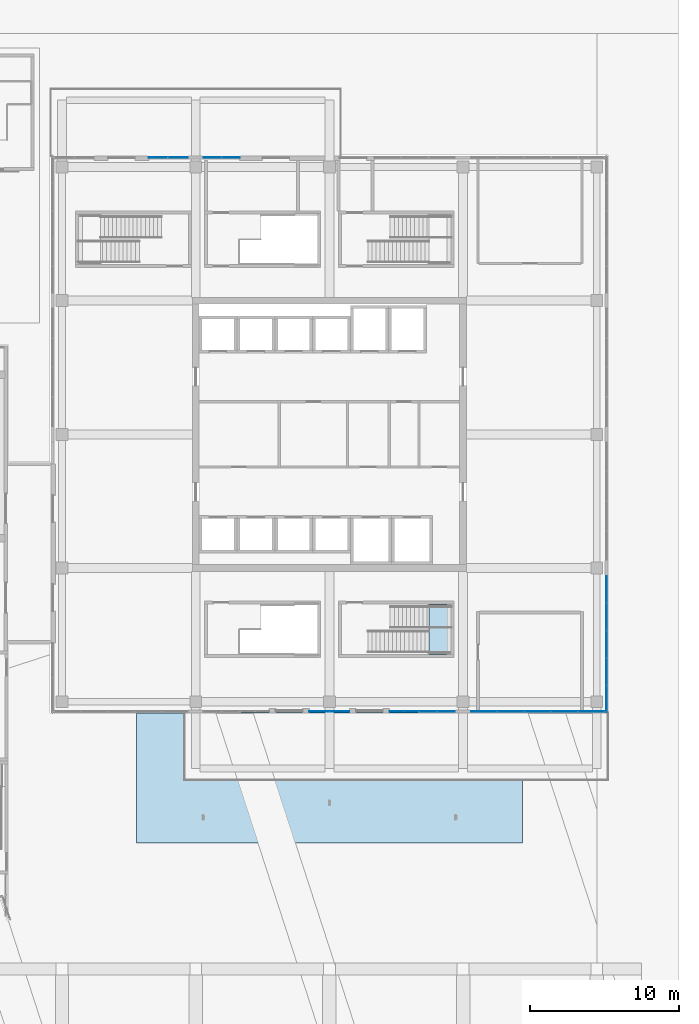
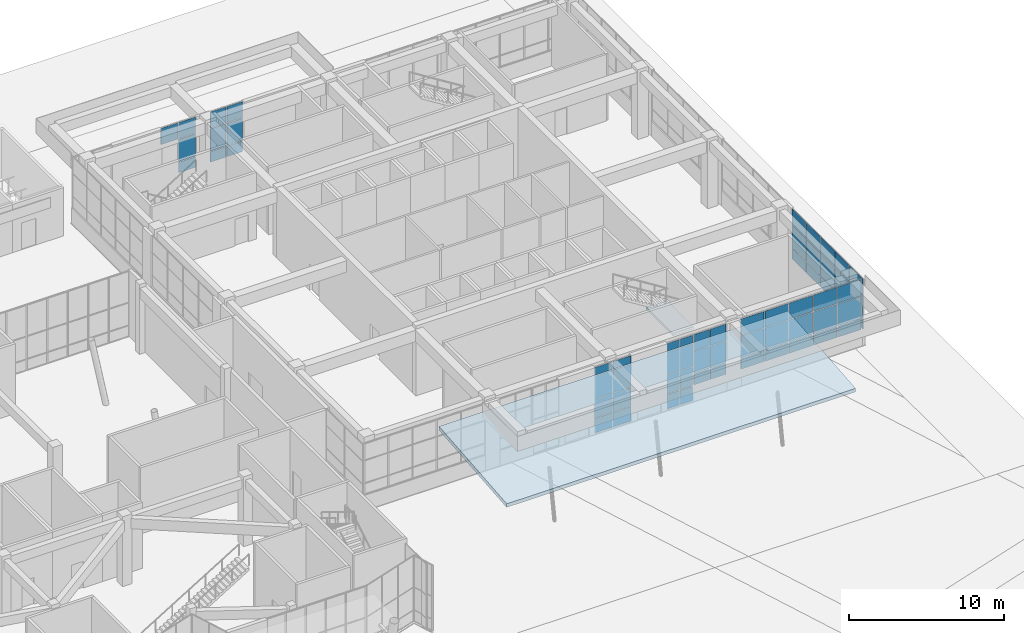
# One storey, part 49 of 72: 62 plates, 2 slabs, 8 elements without a shape of their own.
"""IFC4 building model written with IfcOpenShell, lengths in metres."""

import ifcopenshell
import ifcopenshell.guid

model = None  # the IFC model being written
_history = None  # IfcOwnerHistory: only IFC2X3 demands one
_inside = {}  # id of a spatial element -> (the spatial element, [elements in it])
_under = {}  # id of a project, library or spatial element -> (it, [spatial elements below it])
_declared = {}  # id of a project -> (the project, [libraries it declares])
_typed = {}  # id of a type object -> (the type object, [elements of that type])
_made_of = {}  # id of a material, layer set ... -> (it, [elements and type objects made of it])


def new_model(schema):
    """Start an empty IFC model of exactly this schema.

    Asked for "IFC4X3", IfcOpenShell would pick the latest addendum, in which some entities
    have other attributes; the version numbers below select the first issue.
    IFC2X3 requires an IfcOwnerHistory on every rooted entity: one is made here for all.
    """
    global model, _history
    if schema == "IFC4X3":
        model = ifcopenshell.file(schema_version=(4, 3, 0, 0))
    else:
        model = ifcopenshell.file(schema=schema)
    _inside.clear()
    _under.clear()
    _declared.clear()
    _typed.clear()
    _made_of.clear()
    _history = None
    if model.schema == "IFC2X3":
        org = make("IfcOrganization", Name="unknown")
        user = make(
            "IfcPersonAndOrganization",
            ThePerson=make("IfcPerson", FamilyName="unknown"),
            TheOrganization=org,
        )
        app = make(
            "IfcApplication",
            ApplicationDeveloper=org,
            Version="unknown",
            ApplicationFullName="unknown",
            ApplicationIdentifier="unknown",
        )
        _history = make(
            "IfcOwnerHistory",
            OwningUser=user,
            OwningApplication=app,
            ChangeAction="ADDED",
            CreationDate=0,
        )
    return model


def make(cls, **values):
    """One entity of the class cls with the attributes given. An attribute that is None is left unset."""
    return model.create_entity(
        cls, **{name: value for name, value in values.items() if value is not None}
    )


def rooted(cls, **values):
    """An entity with a GlobalId (a new one), such as an element, a storey or a relation."""
    return make(cls, GlobalId=ifcopenshell.guid.new(), OwnerHistory=_history, **values)


def si_unit(unit_type, name, prefix=None):
    """IfcSIUnit, for example si_unit("LENGTHUNIT", "METRE", prefix="MILLI")."""
    return make("IfcSIUnit", UnitType=unit_type, Prefix=prefix, Name=name)


def assignment(units):
    """IfcUnitAssignment: the units of a project."""
    return None if units is None else make("IfcUnitAssignment", Units=units)


def point(xyz):
    """IfcCartesianPoint."""
    return None if xyz is None else make("IfcCartesianPoint", Coordinates=xyz)


def direction(xyz):
    """IfcDirection."""
    return None if xyz is None else make("IfcDirection", DirectionRatios=xyz)


def frame(location, z_axis=None, x_axis=None):
    """IfcAxis2Placement3D, a coordinate frame: its origin and axes. An axis left out is left unset."""
    return make(
        "IfcAxis2Placement3D",
        Location=point(location),
        Axis=direction(z_axis),
        RefDirection=direction(x_axis),
    )


def frame_2d(location, x_axis=None):
    """IfcAxis2Placement2D, a coordinate frame in the plane: its origin and x axis."""
    return make(
        "IfcAxis2Placement2D", Location=point(location), RefDirection=direction(x_axis)
    )


def origin():
    """The frame at (0, 0, 0) with its axes left unset."""
    return frame((0.0, 0.0, 0.0))


def origin_2d():
    """The frame at (0, 0) in the plane with its x axis left unset."""
    return frame_2d((0.0, 0.0))


def place(relative_to, where):
    """IfcLocalPlacement: puts the frame where relative to a parent placement (None: the world)."""
    return make(
        "IfcLocalPlacement", PlacementRelTo=relative_to, RelativePlacement=where
    )


def context(
    kind, dimensions, precision=None, world=None, true_north=None, identifier=None
):
    """IfcGeometricRepresentationContext, for example the 3D "Model" context."""
    return make(
        "IfcGeometricRepresentationContext",
        ContextIdentifier=identifier,
        ContextType=kind,
        CoordinateSpaceDimension=dimensions,
        Precision=precision,
        WorldCoordinateSystem=world,
        TrueNorth=true_north,
    )


def subcontext(parent, identifier, kind, view, scale=None):
    """IfcGeometricRepresentationSubContext, for example "Body" below "Model"."""
    return make(
        "IfcGeometricRepresentationSubContext",
        ContextIdentifier=identifier,
        ContextType=kind,
        ParentContext=parent,
        TargetScale=scale,
        TargetView=view,
    )


def project(units=None, contexts=None):
    """IfcProject with its units and contexts."""
    return rooted(
        "IfcProject",
        Name="project",
        RepresentationContexts=contexts,
        UnitsInContext=assignment(units),
    )


def spatial(cls, under=None, at=None, **own):
    """A site, building, storey or space (cls), placed at a placement, below another one or the project."""
    s = rooted(cls, ObjectPlacement=at, **own)
    if under is not None:
        _under.setdefault(under.id(), (under, []))[1].append(s)
    return s


def polyline(points):
    """IfcPolyline through the points."""
    return make("IfcPolyline", Points=[point(p) for p in points])


def profile(cls, at=None, kind="AREA", **sizes):
    """A parametric profile (cls). Its sizes go by their IFC names, for example OverallWidth=200.0."""
    return make(cls, ProfileType=kind, Position=at, **sizes)


def rectangle(**sizes):
    """IfcRectangleProfileDef."""
    return profile("IfcRectangleProfileDef", **sizes)


def outline(outer, holes=None, kind="AREA"):
    """IfcArbitraryClosedProfileDef: a profile drawn as a closed curve; with holes, ...WithVoids."""
    if holes is None:
        return make("IfcArbitraryClosedProfileDef", ProfileType=kind, OuterCurve=outer)
    return make(
        "IfcArbitraryProfileDefWithVoids",
        ProfileType=kind,
        OuterCurve=outer,
        InnerCurves=holes,
    )


def extrude(swept, where, along, depth):
    """IfcExtrudedAreaSolid: the profile swept, set in the frame where, extruded along a direction by depth."""
    return make(
        "IfcExtrudedAreaSolid",
        SweptArea=swept,
        Position=where,
        ExtrudedDirection=direction(along),
        Depth=depth,
    )


def shape(context_of_items, identifier, shape_type, items):
    """IfcShapeRepresentation: the items that make up one representation, for example the "Body"."""
    return make(
        "IfcShapeRepresentation",
        ContextOfItems=context_of_items,
        RepresentationIdentifier=identifier,
        RepresentationType=shape_type,
        Items=items,
    )


def material(Name=None, Category=None):
    """IfcMaterial."""
    return make("IfcMaterial", Name=Name, Category=Category)


def layer(
    of_material, thickness, ventilated=None, Name=None, Category=None, Priority=None
):
    """IfcMaterialLayer: one layer of a wall or slab, of a material (None: an air gap)."""
    return make(
        "IfcMaterialLayer",
        Material=of_material,
        LayerThickness=thickness,
        IsVentilated=ventilated,
        Name=Name,
        Category=Category,
        Priority=Priority,
    )


def layer_set(layers, Name=None):
    """IfcMaterialLayerSet."""
    return make("IfcMaterialLayerSet", MaterialLayers=layers, LayerSetName=Name)


def made_of(thing, what):
    """Note that an element or type object is made of a material, layer set ...; save() writes the relation."""
    if what is not None:
        _made_of.setdefault(what.id(), (what, []))[1].append(thing)
    return thing


def type_object(cls, material=None, **own):
    """A type object (cls), such as IfcWallType, which elements share."""
    return made_of(rooted(cls, **own), material)


def element(
    cls,
    number,
    at=None,
    inside=None,
    cuts=None,
    type_object=None,
    material=None,
    context=None,
    identifier="Body",
    shape_type=None,
    held_by="IfcProductDefinitionShape",
    body=None,
    shapes=None,
    **own,
):
    """One element of the class cls, such as IfcWall. Its Tag is "e" and its number.

    at: its placement. inside: the storey or other place that contains it. cuts: it is an
    opening in that element (IfcRelVoidsElement). A single representation is given by context,
    identifier, shape_type and body (its items); several are given by shapes. held_by: the class
    of the entity that holds the representations. save() writes the other relations.
    """
    e = rooted(cls, Tag="e%d" % number, ObjectPlacement=at, **own)
    if body is not None:
        shapes = [shape(context, identifier, shape_type, body)]
    if shapes is not None:
        e.Representation = make(held_by, Representations=shapes)
    if inside is not None:
        _inside.setdefault(inside.id(), (inside, []))[1].append(e)
    if cuts is not None:
        rooted(
            "IfcRelVoidsElement", RelatingBuildingElement=cuts, RelatedOpeningElement=e
        )
    if type_object is not None:
        _typed.setdefault(type_object.id(), (type_object, []))[1].append(e)
    return made_of(e, material)


def aggregate(whole, parts):
    """IfcRelAggregates: a whole, such as a stair, and the parts it consists of."""
    return rooted("IfcRelAggregates", RelatingObject=whole, RelatedObjects=parts)


def save(model, path):
    """Write the relations noted so far, then the file.

    IfcRelAggregates (storeys below a building ...), IfcRelContainedInSpatialStructure (elements
    in a storey), IfcRelDefinesByType, IfcRelAssociatesMaterial and IfcRelDeclares: one each for
    every whole, place, type object, material and project.
    """
    for whole, parts in _under.values():
        aggregate(whole, parts)
    for where, things in _inside.values():
        rooted(
            "IfcRelContainedInSpatialStructure",
            RelatedElements=things,
            RelatingStructure=where,
        )
    for kind, things in _typed.values():
        rooted("IfcRelDefinesByType", RelatedObjects=things, RelatingType=kind)
    for what, things in _made_of.values():
        rooted("IfcRelAssociatesMaterial", RelatedObjects=things, RelatingMaterial=what)
    for by, libraries in _declared.values():
        rooted("IfcRelDeclares", RelatingContext=by, RelatedDefinitions=libraries)
    model.write(path)


model = new_model("IFC4")

# Units and contexts
model_context = context("Model", 3, precision=1e-05, world=origin(), true_north=direction((0.0, 1.0)))
body_context = subcontext(model_context, "Body", "Model", "MODEL_VIEW")
ifc_project = project(units=[si_unit("LENGTHUNIT", "METRE"), si_unit("AREAUNIT", "SQUARE_METRE"), si_unit("VOLUMEUNIT", "CUBIC_METRE"), si_unit("PLANEANGLEUNIT", "RADIAN"), si_unit("MASSUNIT", "GRAM", prefix="KILO")], contexts=[model_context])

# Site, building, storey
site_placement = place(None, origin())
site = spatial("IfcSite", under=ifc_project, at=site_placement, CompositionType="ELEMENT")
building_placement = place(site_placement, origin())
building = spatial("IfcBuilding", under=site, at=building_placement, Name="Tuart Plaza Theatre", CompositionType="ELEMENT")
storey_placement = place(building_placement, origin())
storey = spatial("IfcBuildingStorey", under=building, at=storey_placement, Name="L00", CompositionType="ELEMENT", Elevation=0.0)

# Curtain wall, plates
ifc_material_1 = material(Name="Aluminium and glass", Category="aluminium")
ifc_layer_1 = layer(ifc_material_1, 0.10009765625)
ifc_layer_set_1 = layer_set([ifc_layer_1], Name="CURTAIN WALL 2000 module")
curtain_wall_type_1 = type_object("IfcCurtainWallType", Name="CURTAIN WALL 2000 module", PredefinedType="NOTDEFINED", material=ifc_layer_set_1)
curtain_wall_1_placement = place(storey_placement, origin())
curtain_wall_1 = element("IfcCurtainWall", 1, at=curtain_wall_1_placement, inside=storey, type_object=curtain_wall_type_1, Name="CW48", PredefinedType="NOTDEFINED")
ifc_material_2 = material(Name="Glass", Category="glass")
ifc_layer_2 = layer(ifc_material_2, 0.028076171875)
ifc_layer_set_2 = layer_set([ifc_layer_2], Name="CURTAIN PANEL double glazed 28")
plate_type = type_object("IfcPlateType", Name="CURTAIN PANEL double glazed 28", PredefinedType="CURTAIN_PANEL", material=ifc_layer_set_2)
plate_1_placement = place(storey_placement, frame((150.64990234375, 56.1875, 1.25), z_axis=(0.0, 0.0, 1.0), x_axis=(0.0, 1.0, 0.0)))
plate_1 = element("IfcPlate", 2, at=plate_1_placement, type_object=plate_type, Name="CW48 panel 1.1", PredefinedType="CURTAIN_PANEL", context=body_context, shape_type="SweptSolid", body=[
    extrude(rectangle(XDim=1.77490234375, YDim=0.028076171875, at=origin_2d()), origin(), (0.0, 0.0, 1.0), 0.824951171875),
])
plate_2_placement = place(storey_placement, frame((150.64990234375, 56.1875, 2.125), z_axis=(0.0, 0.0, 1.0), x_axis=(0.0, 1.0, 0.0)))
plate_2 = element("IfcPlate", 3, at=plate_2_placement, type_object=plate_type, Name="CW48 panel 1.2", PredefinedType="CURTAIN_PANEL", context=body_context, shape_type="SweptSolid", body=[
    extrude(rectangle(XDim=1.77490234375, YDim=0.028076171875, at=origin_2d()), origin(), (0.0, 0.0, 1.0), 1.75),
])
plate_3_placement = place(storey_placement, frame((150.64990234375, 56.1875, 3.925048828125), z_axis=(0.0, 0.0, 1.0), x_axis=(0.0, 1.0, 0.0)))
plate_3 = element("IfcPlate", 4, at=plate_3_placement, type_object=plate_type, Name="CW48 panel 1.3", PredefinedType="CURTAIN_PANEL", context=body_context, shape_type="SweptSolid", body=[
    extrude(rectangle(XDim=1.77490234375, YDim=0.028076171875, at=origin_2d()), origin(), (0.0, 0.0, 1.0), 1.27490234375),
])
plate_4_placement = place(storey_placement, frame((150.64990234375, 58.02490234375, 1.25), z_axis=(0.0, 0.0, 1.0), x_axis=(0.0, 1.0, 0.0)))
plate_4 = element("IfcPlate", 5, at=plate_4_placement, type_object=plate_type, Name="CW48 panel 2.1", PredefinedType="CURTAIN_PANEL", context=body_context, shape_type="SweptSolid", body=[
    extrude(rectangle(XDim=1.800048828125, YDim=0.028076171875, at=origin_2d()), origin(), (0.0, 0.0, 1.0), 0.824951171875),
])
plate_5_placement = place(storey_placement, frame((150.64990234375, 58.02490234375, 2.125), z_axis=(0.0, 0.0, 1.0), x_axis=(0.0, 1.0, 0.0)))
plate_5 = element("IfcPlate", 6, at=plate_5_placement, type_object=plate_type, Name="CW48 panel 2.2", PredefinedType="CURTAIN_PANEL", context=body_context, shape_type="SweptSolid", body=[
    extrude(rectangle(XDim=1.800048828125, YDim=0.028076171875, at=origin_2d()), origin(), (0.0, 0.0, 1.0), 1.75),
])
plate_6_placement = place(storey_placement, frame((150.64990234375, 58.02490234375, 3.925048828125), z_axis=(0.0, 0.0, 1.0), x_axis=(0.0, 1.0, 0.0)))
plate_6 = element("IfcPlate", 7, at=plate_6_placement, type_object=plate_type, Name="CW48 panel 2.3", PredefinedType="CURTAIN_PANEL", context=body_context, shape_type="SweptSolid", body=[
    extrude(rectangle(XDim=1.800048828125, YDim=0.028076171875, at=origin_2d()), origin(), (0.0, 0.0, 1.0), 1.27490234375),
])
plate_7_placement = place(storey_placement, frame((150.64990234375, 59.875, 1.25), z_axis=(0.0, 0.0, 1.0), x_axis=(0.0, 1.0, 0.0)))
plate_7 = element("IfcPlate", 8, at=plate_7_placement, type_object=plate_type, Name="CW48 panel 3.1", PredefinedType="CURTAIN_PANEL", context=body_context, shape_type="SweptSolid", body=[
    extrude(rectangle(XDim=1.800048828125, YDim=0.028076171875, at=origin_2d()), origin(), (0.0, 0.0, 1.0), 0.824951171875),
])
plate_8_placement = place(storey_placement, frame((150.64990234375, 59.875, 2.125), z_axis=(0.0, 0.0, 1.0), x_axis=(0.0, 1.0, 0.0)))
plate_8 = element("IfcPlate", 9, at=plate_8_placement, type_object=plate_type, Name="CW48 panel 3.2", PredefinedType="CURTAIN_PANEL", context=body_context, shape_type="SweptSolid", body=[
    extrude(rectangle(XDim=1.800048828125, YDim=0.028076171875, at=origin_2d()), origin(), (0.0, 0.0, 1.0), 1.75),
])
plate_9_placement = place(storey_placement, frame((150.64990234375, 59.875, 3.925048828125), z_axis=(0.0, 0.0, 1.0), x_axis=(0.0, 1.0, 0.0)))
plate_9 = element("IfcPlate", 10, at=plate_9_placement, type_object=plate_type, Name="CW48 panel 3.3", PredefinedType="CURTAIN_PANEL", context=body_context, shape_type="SweptSolid", body=[
    extrude(rectangle(XDim=1.800048828125, YDim=0.028076171875, at=origin_2d()), origin(), (0.0, 0.0, 1.0), 1.27490234375),
])
plate_10_placement = place(storey_placement, frame((150.64990234375, 61.72509765625, 1.25), z_axis=(0.0, 0.0, 1.0), x_axis=(0.0, 1.0, 0.0)))
plate_10 = element("IfcPlate", 11, at=plate_10_placement, type_object=plate_type, Name="CW48 panel 4.1", PredefinedType="CURTAIN_PANEL", context=body_context, shape_type="SweptSolid", body=[
    extrude(rectangle(XDim=1.800048828125, YDim=0.028076171875, at=origin_2d()), origin(), (0.0, 0.0, 1.0), 0.824951171875),
])
plate_11_placement = place(storey_placement, frame((150.64990234375, 61.72509765625, 2.125), z_axis=(0.0, 0.0, 1.0), x_axis=(0.0, 1.0, 0.0)))
plate_11 = element("IfcPlate", 12, at=plate_11_placement, type_object=plate_type, Name="CW48 panel 4.2", PredefinedType="CURTAIN_PANEL", context=body_context, shape_type="SweptSolid", body=[
    extrude(rectangle(XDim=1.800048828125, YDim=0.028076171875, at=origin_2d()), origin(), (0.0, 0.0, 1.0), 1.75),
])
plate_12_placement = place(storey_placement, frame((150.64990234375, 61.72509765625, 3.925048828125), z_axis=(0.0, 0.0, 1.0), x_axis=(0.0, 1.0, 0.0)))
plate_12 = element("IfcPlate", 13, at=plate_12_placement, type_object=plate_type, Name="CW48 panel 4.3", PredefinedType="CURTAIN_PANEL", context=body_context, shape_type="SweptSolid", body=[
    extrude(rectangle(XDim=1.800048828125, YDim=0.028076171875, at=origin_2d()), origin(), (0.0, 0.0, 1.0), 1.27490234375),
])
plate_13_placement = place(storey_placement, frame((150.64990234375, 63.5625, 1.25), z_axis=(0.0, 0.0, 1.0), x_axis=(0.0, 1.0, 0.0)))
plate_13 = element("IfcPlate", 14, at=plate_13_placement, type_object=plate_type, Name="CW48 panel 5.1", PredefinedType="CURTAIN_PANEL", context=body_context, shape_type="SweptSolid", body=[
    extrude(rectangle(XDim=1.77490234375, YDim=0.028076171875, at=origin_2d()), origin(), (0.0, 0.0, 1.0), 0.824951171875),
])
plate_14_placement = place(storey_placement, frame((150.64990234375, 63.5625, 2.125), z_axis=(0.0, 0.0, 1.0), x_axis=(0.0, 1.0, 0.0)))
plate_14 = element("IfcPlate", 15, at=plate_14_placement, type_object=plate_type, Name="CW48 panel 5.2", PredefinedType="CURTAIN_PANEL", context=body_context, shape_type="SweptSolid", body=[
    extrude(rectangle(XDim=1.77490234375, YDim=0.028076171875, at=origin_2d()), origin(), (0.0, 0.0, 1.0), 1.75),
])
plate_15_placement = place(storey_placement, frame((150.64990234375, 63.5625, 3.925048828125), z_axis=(0.0, 0.0, 1.0), x_axis=(0.0, 1.0, 0.0)))
plate_15 = element("IfcPlate", 16, at=plate_15_placement, type_object=plate_type, Name="CW48 panel 5.3", PredefinedType="CURTAIN_PANEL", context=body_context, shape_type="SweptSolid", body=[
    extrude(rectangle(XDim=1.77490234375, YDim=0.028076171875, at=origin_2d()), origin(), (0.0, 0.0, 1.0), 1.27490234375),
])
aggregate(curtain_wall_1, [plate_1, plate_2, plate_3, plate_4, plate_5, plate_6, plate_7, plate_8, plate_9, plate_10, plate_11, plate_12, plate_13, plate_14, plate_15])

ifc_material_3 = material(Name="Aluminium and glass", Category="aluminium")
ifc_layer_3 = layer(ifc_material_3, 0.10009765625)
ifc_layer_set_3 = layer_set([ifc_layer_3], Name="CURTAIN WALL 1250 module")
curtain_wall_type_2 = type_object("IfcCurtainWallType", Name="CURTAIN WALL 1250 module", PredefinedType="NOTDEFINED", material=ifc_layer_set_3)
curtain_wall_2_placement = place(storey_placement, origin())
curtain_wall_2 = element("IfcCurtainWall", 17, at=curtain_wall_2_placement, inside=storey, type_object=curtain_wall_type_2, Name="CW54", PredefinedType="NOTDEFINED")
plate_16_placement = place(storey_placement, frame((125.362548828125, 92.64990234375, 1.25), z_axis=(0.0, 0.0, 1.0), x_axis=(-1.0, 0.0, 0.0)))
plate_16 = element("IfcPlate", 18, at=plate_16_placement, type_object=plate_type, Name="CW54 panel 1.1", PredefinedType="CURTAIN_PANEL", context=body_context, shape_type="SweptSolid", body=[
    extrude(rectangle(XDim=1.175048828125, YDim=0.028076171875, at=origin_2d()), origin(), (0.0, 0.0, 1.0), 0.824951171875),
])
plate_17_placement = place(storey_placement, frame((125.362548828125, 92.64990234375, 2.125), z_axis=(0.0, 0.0, 1.0), x_axis=(-1.0, 0.0, 0.0)))
plate_17 = element("IfcPlate", 19, at=plate_17_placement, type_object=plate_type, Name="CW54 panel 1.2", PredefinedType="CURTAIN_PANEL", context=body_context, shape_type="SweptSolid", body=[
    extrude(rectangle(XDim=1.175048828125, YDim=0.028076171875, at=origin_2d()), origin(), (0.0, 0.0, 1.0), 1.75),
])
plate_18_placement = place(storey_placement, frame((125.362548828125, 92.64990234375, 3.925048828125), z_axis=(0.0, 0.0, 1.0), x_axis=(-1.0, 0.0, 0.0)))
plate_18 = element("IfcPlate", 20, at=plate_18_placement, type_object=plate_type, Name="CW54 panel 1.3", PredefinedType="CURTAIN_PANEL", context=body_context, shape_type="SweptSolid", body=[
    extrude(rectangle(XDim=1.175048828125, YDim=0.028076171875, at=origin_2d()), origin(), (0.0, 0.0, 1.0), 1.27490234375),
])
plate_19_placement = place(storey_placement, frame((124.137451171875, 92.64990234375, 1.25), z_axis=(0.0, 0.0, 1.0), x_axis=(-1.0, 0.0, 0.0)))
plate_19 = element("IfcPlate", 21, at=plate_19_placement, type_object=plate_type, Name="CW54 panel 2.1", PredefinedType="CURTAIN_PANEL", context=body_context, shape_type="SweptSolid", body=[
    extrude(rectangle(XDim=1.175048828125, YDim=0.028076171875, at=origin_2d()), origin(), (0.0, 0.0, 1.0), 0.824951171875),
])
plate_20_placement = place(storey_placement, frame((124.137451171875, 92.64990234375, 2.125), z_axis=(0.0, 0.0, 1.0), x_axis=(-1.0, 0.0, 0.0)))
plate_20 = element("IfcPlate", 22, at=plate_20_placement, type_object=plate_type, Name="CW54 panel 2.2", PredefinedType="CURTAIN_PANEL", context=body_context, shape_type="SweptSolid", body=[
    extrude(rectangle(XDim=1.175048828125, YDim=0.028076171875, at=origin_2d()), origin(), (0.0, 0.0, 1.0), 1.75),
])
plate_21_placement = place(storey_placement, frame((124.137451171875, 92.64990234375, 3.925048828125), z_axis=(0.0, 0.0, 1.0), x_axis=(-1.0, 0.0, 0.0)))
plate_21 = element("IfcPlate", 23, at=plate_21_placement, type_object=plate_type, Name="CW54 panel 2.3", PredefinedType="CURTAIN_PANEL", context=body_context, shape_type="SweptSolid", body=[
    extrude(rectangle(XDim=1.175048828125, YDim=0.028076171875, at=origin_2d()), origin(), (0.0, 0.0, 1.0), 1.27490234375),
])
aggregate(curtain_wall_2, [plate_16, plate_17, plate_18, plate_19, plate_20, plate_21])

ifc_material_4 = material(Name="Aluminium and glass", Category="aluminium")
ifc_layer_4 = layer(ifc_material_4, 0.10009765625)
ifc_layer_set_4 = layer_set([ifc_layer_4], Name="CURTAIN WALL 1350 module")
curtain_wall_type_3 = type_object("IfcCurtainWallType", Name="CURTAIN WALL 1350 module", PredefinedType="NOTDEFINED", material=ifc_layer_set_4)
curtain_wall_3_placement = place(storey_placement, origin())
curtain_wall_3 = element("IfcCurtainWall", 24, at=curtain_wall_3_placement, inside=storey, type_object=curtain_wall_type_3, Name="CW55", PredefinedType="NOTDEFINED")
plate_22_placement = place(storey_placement, frame((121.8125, 92.64990234375, 1.25), z_axis=(0.0, 0.0, 1.0), x_axis=(-1.0, 0.0, 0.0)))
plate_22 = element("IfcPlate", 25, at=plate_22_placement, type_object=plate_type, Name="CW55 panel 1.1", PredefinedType="CURTAIN_PANEL", context=body_context, shape_type="SweptSolid", body=[
    extrude(rectangle(XDim=1.27490234375, YDim=0.028076171875, at=origin_2d()), origin(), (0.0, 0.0, 1.0), 0.824951171875),
])
plate_23_placement = place(storey_placement, frame((121.8125, 92.64990234375, 2.125), z_axis=(0.0, 0.0, 1.0), x_axis=(-1.0, 0.0, 0.0)))
plate_23 = element("IfcPlate", 26, at=plate_23_placement, type_object=plate_type, Name="CW55 panel 1.2", PredefinedType="CURTAIN_PANEL", context=body_context, shape_type="SweptSolid", body=[
    extrude(rectangle(XDim=1.27490234375, YDim=0.028076171875, at=origin_2d()), origin(), (0.0, 0.0, 1.0), 1.75),
])
plate_24_placement = place(storey_placement, frame((121.8125, 92.64990234375, 3.925048828125), z_axis=(0.0, 0.0, 1.0), x_axis=(-1.0, 0.0, 0.0)))
plate_24 = element("IfcPlate", 27, at=plate_24_placement, type_object=plate_type, Name="CW55 panel 1.3", PredefinedType="CURTAIN_PANEL", context=body_context, shape_type="SweptSolid", body=[
    extrude(rectangle(XDim=1.27490234375, YDim=0.028076171875, at=origin_2d()), origin(), (0.0, 0.0, 1.0), 1.27490234375),
])
plate_25_placement = place(storey_placement, frame((120.487548828125, 92.64990234375, 3.925048828125), z_axis=(0.0, 0.0, 1.0), x_axis=(-1.0, 0.0, 0.0)))
plate_25 = element("IfcPlate", 28, at=plate_25_placement, type_object=plate_type, Name="CW55 panel 2.3", PredefinedType="CURTAIN_PANEL", context=body_context, shape_type="SweptSolid", body=[
    extrude(rectangle(XDim=1.27490234375, YDim=0.028076171875, at=origin_2d()), origin(), (0.0, 0.0, 1.0), 1.27490234375),
])
aggregate(curtain_wall_3, [plate_22, plate_23, plate_24, plate_25])

ifc_material_5 = material(Name="Aluminium and glass", Category="aluminium")
ifc_layer_5 = layer(ifc_material_5, 0.10009765625)
ifc_layer_set_5 = layer_set([ifc_layer_5], Name="CURTAIN WALL 1400 module")
curtain_wall_type_4 = type_object("IfcCurtainWallType", Name="CURTAIN WALL 1400 module", PredefinedType="NOTDEFINED", material=ifc_layer_set_5)
curtain_wall_4_placement = place(storey_placement, origin())
curtain_wall_4 = element("IfcCurtainWall", 29, at=curtain_wall_4_placement, inside=storey, type_object=curtain_wall_type_4, Name="CW63", PredefinedType="NOTDEFINED")
plate_26_placement = place(storey_placement, frame((131.3125, 55.35009765625, 0.050048828125), z_axis=(0.0, 0.0, 1.0), x_axis=(1.0, 0.0, 0.0)))
plate_26 = element("IfcPlate", 30, at=plate_26_placement, type_object=plate_type, Name="CW63 panel 1.1", PredefinedType="CURTAIN_PANEL", context=body_context, shape_type="SweptSolid", body=[
    extrude(rectangle(XDim=1.324951171875, YDim=0.028076171875, at=origin_2d()), origin(), (0.0, 0.0, 1.0), 1.125),
])
plate_27_placement = place(storey_placement, frame((131.3125, 55.35009765625, 1.22509765625), z_axis=(0.0, 0.0, 1.0), x_axis=(1.0, 0.0, 0.0)))
plate_27 = element("IfcPlate", 31, at=plate_27_placement, type_object=plate_type, Name="CW63 panel 1.2", PredefinedType="CURTAIN_PANEL", context=body_context, shape_type="SweptSolid", body=[
    extrude(rectangle(XDim=1.324951171875, YDim=0.028076171875, at=origin_2d()), origin(), (0.0, 0.0, 1.0), 1.449951171875),
])
plate_28_placement = place(storey_placement, frame((131.3125, 55.35009765625, 2.72509765625), z_axis=(0.0, 0.0, 1.0), x_axis=(1.0, 0.0, 0.0)))
plate_28 = element("IfcPlate", 32, at=plate_28_placement, type_object=plate_type, Name="CW63 panel 1.3", PredefinedType="CURTAIN_PANEL", context=body_context, shape_type="SweptSolid", body=[
    extrude(rectangle(XDim=1.324951171875, YDim=0.028076171875, at=origin_2d()), origin(), (0.0, 0.0, 1.0), 1.800048828125),
])
plate_29_placement = place(storey_placement, frame((131.3125, 55.35009765625, 4.574951171875), z_axis=(0.0, 0.0, 1.0), x_axis=(1.0, 0.0, 0.0)))
plate_29 = element("IfcPlate", 33, at=plate_29_placement, type_object=plate_type, Name="CW63 panel 1.4", PredefinedType="CURTAIN_PANEL", context=body_context, shape_type="SweptSolid", body=[
    extrude(rectangle(XDim=1.324951171875, YDim=0.028076171875, at=origin_2d()), origin(), (0.0, 0.0, 1.0), 0.625),
])
plate_30_placement = place(storey_placement, frame((132.6875, 55.35009765625, 0.050048828125), z_axis=(0.0, 0.0, 1.0), x_axis=(1.0, 0.0, 0.0)))
plate_30 = element("IfcPlate", 34, at=plate_30_placement, type_object=plate_type, Name="CW63 panel 2.1", PredefinedType="CURTAIN_PANEL", context=body_context, shape_type="SweptSolid", body=[
    extrude(rectangle(XDim=1.324951171875, YDim=0.028076171875, at=origin_2d()), origin(), (0.0, 0.0, 1.0), 1.125),
])
plate_31_placement = place(storey_placement, frame((132.6875, 55.35009765625, 1.22509765625), z_axis=(0.0, 0.0, 1.0), x_axis=(1.0, 0.0, 0.0)))
plate_31 = element("IfcPlate", 35, at=plate_31_placement, type_object=plate_type, Name="CW63 panel 2.2", PredefinedType="CURTAIN_PANEL", context=body_context, shape_type="SweptSolid", body=[
    extrude(rectangle(XDim=1.324951171875, YDim=0.028076171875, at=origin_2d()), origin(), (0.0, 0.0, 1.0), 1.449951171875),
])
plate_32_placement = place(storey_placement, frame((132.6875, 55.35009765625, 2.72509765625), z_axis=(0.0, 0.0, 1.0), x_axis=(1.0, 0.0, 0.0)))
plate_32 = element("IfcPlate", 36, at=plate_32_placement, type_object=plate_type, Name="CW63 panel 2.3", PredefinedType="CURTAIN_PANEL", context=body_context, shape_type="SweptSolid", body=[
    extrude(rectangle(XDim=1.324951171875, YDim=0.028076171875, at=origin_2d()), origin(), (0.0, 0.0, 1.0), 1.800048828125),
])
plate_33_placement = place(storey_placement, frame((132.6875, 55.35009765625, 4.574951171875), z_axis=(0.0, 0.0, 1.0), x_axis=(1.0, 0.0, 0.0)))
plate_33 = element("IfcPlate", 37, at=plate_33_placement, type_object=plate_type, Name="CW63 panel 2.4", PredefinedType="CURTAIN_PANEL", context=body_context, shape_type="SweptSolid", body=[
    extrude(rectangle(XDim=1.324951171875, YDim=0.028076171875, at=origin_2d()), origin(), (0.0, 0.0, 1.0), 0.625),
])
aggregate(curtain_wall_4, [plate_26, plate_27, plate_28, plate_29, plate_30, plate_31, plate_32, plate_33])

ifc_material_6 = material(Name="Aluminium and glass", Category="aluminium")
ifc_layer_6 = layer(ifc_material_6, 0.10009765625)
ifc_layer_set_6 = layer_set([ifc_layer_6], Name="CURTAIN WALL 1000 module")
curtain_wall_type_5 = type_object("IfcCurtainWallType", Name="CURTAIN WALL 1000 module", PredefinedType="NOTDEFINED", material=ifc_layer_set_6)
curtain_wall_5_placement = place(storey_placement, origin())
curtain_wall_5 = element("IfcCurtainWall", 38, at=curtain_wall_5_placement, inside=storey, type_object=curtain_wall_type_5, Name="CW64", PredefinedType="NOTDEFINED")
plate_34_placement = place(storey_placement, frame((136.512451171875, 55.35009765625, 0.050048828125), z_axis=(0.0, 0.0, 1.0), x_axis=(1.0, 0.0, 0.0)))
plate_34 = element("IfcPlate", 39, at=plate_34_placement, type_object=plate_type, Name="CW64 panel 1.1", PredefinedType="CURTAIN_PANEL", context=body_context, shape_type="SweptSolid", body=[
    extrude(rectangle(XDim=0.925048828125, YDim=0.028076171875, at=origin_2d()), origin(), (0.0, 0.0, 1.0), 1.125),
])
plate_35_placement = place(storey_placement, frame((136.512451171875, 55.35009765625, 1.22509765625), z_axis=(0.0, 0.0, 1.0), x_axis=(1.0, 0.0, 0.0)))
plate_35 = element("IfcPlate", 40, at=plate_35_placement, type_object=plate_type, Name="CW64 panel 1.2", PredefinedType="CURTAIN_PANEL", context=body_context, shape_type="SweptSolid", body=[
    extrude(rectangle(XDim=0.925048828125, YDim=0.028076171875, at=origin_2d()), origin(), (0.0, 0.0, 1.0), 1.449951171875),
])
plate_36_placement = place(storey_placement, frame((136.512451171875, 55.35009765625, 2.72509765625), z_axis=(0.0, 0.0, 1.0), x_axis=(1.0, 0.0, 0.0)))
plate_36 = element("IfcPlate", 41, at=plate_36_placement, type_object=plate_type, Name="CW64 panel 1.3", PredefinedType="CURTAIN_PANEL", context=body_context, shape_type="SweptSolid", body=[
    extrude(rectangle(XDim=0.925048828125, YDim=0.028076171875, at=origin_2d()), origin(), (0.0, 0.0, 1.0), 1.800048828125),
])
plate_37_placement = place(storey_placement, frame((136.512451171875, 55.35009765625, 4.574951171875), z_axis=(0.0, 0.0, 1.0), x_axis=(1.0, 0.0, 0.0)))
plate_37 = element("IfcPlate", 42, at=plate_37_placement, type_object=plate_type, Name="CW64 panel 1.4", PredefinedType="CURTAIN_PANEL", context=body_context, shape_type="SweptSolid", body=[
    extrude(rectangle(XDim=0.925048828125, YDim=0.028076171875, at=origin_2d()), origin(), (0.0, 0.0, 1.0), 0.625),
])
plate_38_placement = place(storey_placement, frame((137.487548828125, 55.35009765625, 0.050048828125), z_axis=(0.0, 0.0, 1.0), x_axis=(1.0, 0.0, 0.0)))
plate_38 = element("IfcPlate", 43, at=plate_38_placement, type_object=plate_type, Name="CW64 panel 2.1", PredefinedType="CURTAIN_PANEL", context=body_context, shape_type="SweptSolid", body=[
    extrude(rectangle(XDim=0.925048828125, YDim=0.028076171875, at=origin_2d()), origin(), (0.0, 0.0, 1.0), 1.125),
])
plate_39_placement = place(storey_placement, frame((137.487548828125, 55.35009765625, 1.22509765625), z_axis=(0.0, 0.0, 1.0), x_axis=(1.0, 0.0, 0.0)))
plate_39 = element("IfcPlate", 44, at=plate_39_placement, type_object=plate_type, Name="CW64 panel 2.2", PredefinedType="CURTAIN_PANEL", context=body_context, shape_type="SweptSolid", body=[
    extrude(rectangle(XDim=0.925048828125, YDim=0.028076171875, at=origin_2d()), origin(), (0.0, 0.0, 1.0), 1.449951171875),
])
plate_40_placement = place(storey_placement, frame((137.487548828125, 55.35009765625, 2.72509765625), z_axis=(0.0, 0.0, 1.0), x_axis=(1.0, 0.0, 0.0)))
plate_40 = element("IfcPlate", 45, at=plate_40_placement, type_object=plate_type, Name="CW64 panel 2.3", PredefinedType="CURTAIN_PANEL", context=body_context, shape_type="SweptSolid", body=[
    extrude(rectangle(XDim=0.925048828125, YDim=0.028076171875, at=origin_2d()), origin(), (0.0, 0.0, 1.0), 1.800048828125),
])
plate_41_placement = place(storey_placement, frame((137.487548828125, 55.35009765625, 4.574951171875), z_axis=(0.0, 0.0, 1.0), x_axis=(1.0, 0.0, 0.0)))
plate_41 = element("IfcPlate", 46, at=plate_41_placement, type_object=plate_type, Name="CW64 panel 2.4", PredefinedType="CURTAIN_PANEL", context=body_context, shape_type="SweptSolid", body=[
    extrude(rectangle(XDim=0.925048828125, YDim=0.028076171875, at=origin_2d()), origin(), (0.0, 0.0, 1.0), 0.625),
])
aggregate(curtain_wall_5, [plate_34, plate_35, plate_36, plate_37, plate_38, plate_39, plate_40, plate_41])

curtain_wall_6_placement = place(storey_placement, origin())
curtain_wall_6 = element("IfcCurtainWall", 47, at=curtain_wall_6_placement, inside=storey, type_object=curtain_wall_type_2, Name="CW65", PredefinedType="NOTDEFINED")
plate_42_placement = place(storey_placement, frame((138.637451171875, 55.35009765625, 1.25), z_axis=(0.0, 0.0, 1.0), x_axis=(1.0, 0.0, 0.0)))
plate_42 = element("IfcPlate", 48, at=plate_42_placement, type_object=plate_type, Name="CW65 panel 1.1", PredefinedType="CURTAIN_PANEL", context=body_context, shape_type="SweptSolid", body=[
    extrude(rectangle(XDim=1.175048828125, YDim=0.028076171875, at=origin_2d()), origin(), (0.0, 0.0, 1.0), 0.824951171875),
])
plate_43_placement = place(storey_placement, frame((138.637451171875, 55.35009765625, 2.125), z_axis=(0.0, 0.0, 1.0), x_axis=(1.0, 0.0, 0.0)))
plate_43 = element("IfcPlate", 49, at=plate_43_placement, type_object=plate_type, Name="CW65 panel 1.2", PredefinedType="CURTAIN_PANEL", context=body_context, shape_type="SweptSolid", body=[
    extrude(rectangle(XDim=1.175048828125, YDim=0.028076171875, at=origin_2d()), origin(), (0.0, 0.0, 1.0), 1.75),
])
plate_44_placement = place(storey_placement, frame((138.637451171875, 55.35009765625, 3.925048828125), z_axis=(0.0, 0.0, 1.0), x_axis=(1.0, 0.0, 0.0)))
plate_44 = element("IfcPlate", 50, at=plate_44_placement, type_object=plate_type, Name="CW65 panel 1.3", PredefinedType="CURTAIN_PANEL", context=body_context, shape_type="SweptSolid", body=[
    extrude(rectangle(XDim=1.175048828125, YDim=0.028076171875, at=origin_2d()), origin(), (0.0, 0.0, 1.0), 1.27490234375),
])
plate_45_placement = place(storey_placement, frame((139.862548828125, 55.35009765625, 1.25), z_axis=(0.0, 0.0, 1.0), x_axis=(1.0, 0.0, 0.0)))
plate_45 = element("IfcPlate", 51, at=plate_45_placement, type_object=plate_type, Name="CW65 panel 2.1", PredefinedType="CURTAIN_PANEL", context=body_context, shape_type="SweptSolid", body=[
    extrude(rectangle(XDim=1.175048828125, YDim=0.028076171875, at=origin_2d()), origin(), (0.0, 0.0, 1.0), 0.824951171875),
])
plate_46_placement = place(storey_placement, frame((139.862548828125, 55.35009765625, 2.125), z_axis=(0.0, 0.0, 1.0), x_axis=(1.0, 0.0, 0.0)))
plate_46 = element("IfcPlate", 52, at=plate_46_placement, type_object=plate_type, Name="CW65 panel 2.2", PredefinedType="CURTAIN_PANEL", context=body_context, shape_type="SweptSolid", body=[
    extrude(rectangle(XDim=1.175048828125, YDim=0.028076171875, at=origin_2d()), origin(), (0.0, 0.0, 1.0), 1.75),
])
plate_47_placement = place(storey_placement, frame((139.862548828125, 55.35009765625, 3.925048828125), z_axis=(0.0, 0.0, 1.0), x_axis=(1.0, 0.0, 0.0)))
plate_47 = element("IfcPlate", 53, at=plate_47_placement, type_object=plate_type, Name="CW65 panel 2.3", PredefinedType="CURTAIN_PANEL", context=body_context, shape_type="SweptSolid", body=[
    extrude(rectangle(XDim=1.175048828125, YDim=0.028076171875, at=origin_2d()), origin(), (0.0, 0.0, 1.0), 1.27490234375),
])
aggregate(curtain_wall_6, [plate_42, plate_43, plate_44, plate_45, plate_46, plate_47])

ifc_material_7 = material(Name="Aluminium and glass", Category="aluminium")
ifc_layer_7 = layer(ifc_material_7, 0.10009765625)
ifc_layer_set_7 = layer_set([ifc_layer_7], Name="CURTAIN WALL 1800 module")
curtain_wall_type_6 = type_object("IfcCurtainWallType", Name="CURTAIN WALL 1800 module", PredefinedType="NOTDEFINED", material=ifc_layer_set_7)
curtain_wall_7_placement = place(storey_placement, origin())
curtain_wall_7 = element("IfcCurtainWall", 54, at=curtain_wall_7_placement, inside=storey, type_object=curtain_wall_type_6, Name="CW66", PredefinedType="NOTDEFINED")
plate_48_placement = place(storey_placement, frame((142.41748046875, 55.35009765625, 1.25), z_axis=(0.0, 0.0, 1.0), x_axis=(1.0, 0.0, 0.0)))
plate_48 = element("IfcPlate", 55, at=plate_48_placement, type_object=plate_type, Name="CW66 panel 1.1", PredefinedType="CURTAIN_PANEL", context=body_context, shape_type="SweptSolid", body=[
    extrude(rectangle(XDim=1.735107421875, YDim=0.028076171875, at=origin_2d()), origin(), (0.0, 0.0, 1.0), 0.824951171875),
])
plate_49_placement = place(storey_placement, frame((142.41748046875, 55.35009765625, 2.125), z_axis=(0.0, 0.0, 1.0), x_axis=(1.0, 0.0, 0.0)))
plate_49 = element("IfcPlate", 56, at=plate_49_placement, type_object=plate_type, Name="CW66 panel 1.2", PredefinedType="CURTAIN_PANEL", context=body_context, shape_type="SweptSolid", body=[
    extrude(rectangle(XDim=1.735107421875, YDim=0.028076171875, at=origin_2d()), origin(), (0.0, 0.0, 1.0), 1.75),
])
plate_50_placement = place(storey_placement, frame((142.41748046875, 55.35009765625, 3.925048828125), z_axis=(0.0, 0.0, 1.0), x_axis=(1.0, 0.0, 0.0)))
plate_50 = element("IfcPlate", 57, at=plate_50_placement, type_object=plate_type, Name="CW66 panel 1.3", PredefinedType="CURTAIN_PANEL", context=body_context, shape_type="SweptSolid", body=[
    extrude(rectangle(XDim=1.735107421875, YDim=0.028076171875, at=origin_2d()), origin(), (0.0, 0.0, 1.0), 1.27490234375),
])
plate_51_placement = place(storey_placement, frame((144.215087890625, 55.35009765625, 1.25), z_axis=(0.0, 0.0, 1.0), x_axis=(1.0, 0.0, 0.0)))
plate_51 = element("IfcPlate", 58, at=plate_51_placement, type_object=plate_type, Name="CW66 panel 2.1", PredefinedType="CURTAIN_PANEL", context=body_context, shape_type="SweptSolid", body=[
    extrude(rectangle(XDim=1.760009765625, YDim=0.028076171875, at=origin_2d()), origin(), (0.0, 0.0, 1.0), 0.824951171875),
])
plate_52_placement = place(storey_placement, frame((144.215087890625, 55.35009765625, 2.125), z_axis=(0.0, 0.0, 1.0), x_axis=(1.0, 0.0, 0.0)))
plate_52 = element("IfcPlate", 59, at=plate_52_placement, type_object=plate_type, Name="CW66 panel 2.2", PredefinedType="CURTAIN_PANEL", context=body_context, shape_type="SweptSolid", body=[
    extrude(rectangle(XDim=1.760009765625, YDim=0.028076171875, at=origin_2d()), origin(), (0.0, 0.0, 1.0), 1.75),
])
plate_53_placement = place(storey_placement, frame((144.215087890625, 55.35009765625, 3.925048828125), z_axis=(0.0, 0.0, 1.0), x_axis=(1.0, 0.0, 0.0)))
plate_53 = element("IfcPlate", 60, at=plate_53_placement, type_object=plate_type, Name="CW66 panel 2.3", PredefinedType="CURTAIN_PANEL", context=body_context, shape_type="SweptSolid", body=[
    extrude(rectangle(XDim=1.760009765625, YDim=0.028076171875, at=origin_2d()), origin(), (0.0, 0.0, 1.0), 1.27490234375),
])
plate_54_placement = place(storey_placement, frame((146.02490234375, 55.35009765625, 1.25), z_axis=(0.0, 0.0, 1.0), x_axis=(1.0, 0.0, 0.0)))
plate_54 = element("IfcPlate", 61, at=plate_54_placement, type_object=plate_type, Name="CW66 panel 3.1", PredefinedType="CURTAIN_PANEL", context=body_context, shape_type="SweptSolid", body=[
    extrude(rectangle(XDim=1.760009765625, YDim=0.028076171875, at=origin_2d()), origin(), (0.0, 0.0, 1.0), 0.824951171875),
])
plate_55_placement = place(storey_placement, frame((146.02490234375, 55.35009765625, 2.125), z_axis=(0.0, 0.0, 1.0), x_axis=(1.0, 0.0, 0.0)))
plate_55 = element("IfcPlate", 62, at=plate_55_placement, type_object=plate_type, Name="CW66 panel 3.2", PredefinedType="CURTAIN_PANEL", context=body_context, shape_type="SweptSolid", body=[
    extrude(rectangle(XDim=1.760009765625, YDim=0.028076171875, at=origin_2d()), origin(), (0.0, 0.0, 1.0), 1.75),
])
plate_56_placement = place(storey_placement, frame((146.02490234375, 55.35009765625, 3.925048828125), z_axis=(0.0, 0.0, 1.0), x_axis=(1.0, 0.0, 0.0)))
plate_56 = element("IfcPlate", 63, at=plate_56_placement, type_object=plate_type, Name="CW66 panel 3.3", PredefinedType="CURTAIN_PANEL", context=body_context, shape_type="SweptSolid", body=[
    extrude(rectangle(XDim=1.760009765625, YDim=0.028076171875, at=origin_2d()), origin(), (0.0, 0.0, 1.0), 1.27490234375),
])
plate_57_placement = place(storey_placement, frame((147.8349609375, 55.35009765625, 1.25), z_axis=(0.0, 0.0, 1.0), x_axis=(1.0, 0.0, 0.0)))
plate_57 = element("IfcPlate", 64, at=plate_57_placement, type_object=plate_type, Name="CW66 panel 4.1", PredefinedType="CURTAIN_PANEL", context=body_context, shape_type="SweptSolid", body=[
    extrude(rectangle(XDim=1.760009765625, YDim=0.028076171875, at=origin_2d()), origin(), (0.0, 0.0, 1.0), 0.824951171875),
])
plate_58_placement = place(storey_placement, frame((147.8349609375, 55.35009765625, 2.125), z_axis=(0.0, 0.0, 1.0), x_axis=(1.0, 0.0, 0.0)))
plate_58 = element("IfcPlate", 65, at=plate_58_placement, type_object=plate_type, Name="CW66 panel 4.2", PredefinedType="CURTAIN_PANEL", context=body_context, shape_type="SweptSolid", body=[
    extrude(rectangle(XDim=1.760009765625, YDim=0.028076171875, at=origin_2d()), origin(), (0.0, 0.0, 1.0), 1.75),
])
plate_59_placement = place(storey_placement, frame((147.8349609375, 55.35009765625, 3.925048828125), z_axis=(0.0, 0.0, 1.0), x_axis=(1.0, 0.0, 0.0)))
plate_59 = element("IfcPlate", 66, at=plate_59_placement, type_object=plate_type, Name="CW66 panel 4.3", PredefinedType="CURTAIN_PANEL", context=body_context, shape_type="SweptSolid", body=[
    extrude(rectangle(XDim=1.760009765625, YDim=0.028076171875, at=origin_2d()), origin(), (0.0, 0.0, 1.0), 1.27490234375),
])
plate_60_placement = place(storey_placement, frame((149.632568359375, 55.35009765625, 1.25), z_axis=(0.0, 0.0, 1.0), x_axis=(1.0, 0.0, 0.0)))
plate_60 = element("IfcPlate", 67, at=plate_60_placement, type_object=plate_type, Name="CW66 panel 5.1", PredefinedType="CURTAIN_PANEL", context=body_context, shape_type="SweptSolid", body=[
    extrude(rectangle(XDim=1.735107421875, YDim=0.028076171875, at=origin_2d()), origin(), (0.0, 0.0, 1.0), 0.824951171875),
])
plate_61_placement = place(storey_placement, frame((149.632568359375, 55.35009765625, 2.125), z_axis=(0.0, 0.0, 1.0), x_axis=(1.0, 0.0, 0.0)))
plate_61 = element("IfcPlate", 68, at=plate_61_placement, type_object=plate_type, Name="CW66 panel 5.2", PredefinedType="CURTAIN_PANEL", context=body_context, shape_type="SweptSolid", body=[
    extrude(rectangle(XDim=1.735107421875, YDim=0.028076171875, at=origin_2d()), origin(), (0.0, 0.0, 1.0), 1.75),
])
plate_62_placement = place(storey_placement, frame((149.632568359375, 55.35009765625, 3.925048828125), z_axis=(0.0, 0.0, 1.0), x_axis=(1.0, 0.0, 0.0)))
plate_62 = element("IfcPlate", 69, at=plate_62_placement, type_object=plate_type, Name="CW66 panel 5.3", PredefinedType="CURTAIN_PANEL", context=body_context, shape_type="SweptSolid", body=[
    extrude(rectangle(XDim=1.735107421875, YDim=0.028076171875, at=origin_2d()), origin(), (0.0, 0.0, 1.0), 1.27490234375),
])
aggregate(curtain_wall_7, [plate_48, plate_49, plate_50, plate_51, plate_52, plate_53, plate_54, plate_55, plate_56, plate_57, plate_58, plate_59, plate_60, plate_61, plate_62])

# Slab
ifc_material_8 = material(Name="Steel S355 plate", Category="steel")
ifc_layer_8 = layer(ifc_material_8, 0.300048828125)
ifc_layer_set_8 = layer_set([ifc_layer_8], Name="SLAB Entrance canopy 300 Steel plate S355")
slab_type_1 = type_object("IfcSlabType", Name="SLAB Entrance canopy 300 Steel plate S355", PredefinedType="ROOF", material=ifc_layer_set_8)
slab_1_placement = place(storey_placement, frame((119.0, 46.5, 3.89990234375), z_axis=(0.0, -0.091054327603, 0.995845926549), x_axis=(1.0, 0.0, 0.0)))
element("IfcSlab", 70, at=slab_1_placement, inside=storey, type_object=slab_type_1, Name="SR14", PredefinedType="ROOF", context=body_context, shape_type="SweptSolid", body=[
    extrude(outline(polyline([(0.0, 0.0), (26.0, 0.0), (26.0, 8.786499765400565), (0.0, 8.786499765400565), (0.0, 0.0)])), origin(), (0.0, 0.0, -1.0), 0.300048828125),
])

# Stair, slab
ifc_material_9 = material(Name="Concrete N40 (40 MPa)", Category="concrete")
stair_type = type_object("IfcStairType", Name="STAIR half turn 1500", PredefinedType="HALF_TURN_STAIR", material=ifc_material_9)
stair_placement = place(storey_placement, origin())
stair = element("IfcStair", 71, at=stair_placement, inside=storey, type_object=stair_type, Name="SC-1", PredefinedType="HALF_TURN_STAIR")
ifc_material_10 = material(Name="Concrete N40 (40 MPa)", Category="concrete")
ifc_layer_9 = layer(ifc_material_10, 0.199951171875)
ifc_layer_set_9 = layer_set([ifc_layer_9], Name="STAIR LANDING 200")
slab_type_2 = type_object("IfcSlabType", Name="STAIR LANDING 200", PredefinedType="LANDING", material=ifc_layer_set_9)
slab_2_placement = place(storey_placement, frame((0.0, 0.0, 2.550048828125)))
slab_2 = element("IfcSlab", 72, at=slab_2_placement, type_object=slab_type_2, Name="SC-1 landing 1", PredefinedType="LANDING", context=body_context, shape_type="SweptSolid", body=[
    extrude(outline(polyline([(138.699951171875, 59.177001953125), (140.22998046875, 59.177001953125), (140.22998046875, 62.572998046875), (138.699951171875, 62.572998046875), (138.699951171875, 59.177001953125)])), origin(), (0.0, 0.0, 1.0), 0.199951171875),
])
aggregate(stair, [slab_2])

save(model, "model.ifc")
